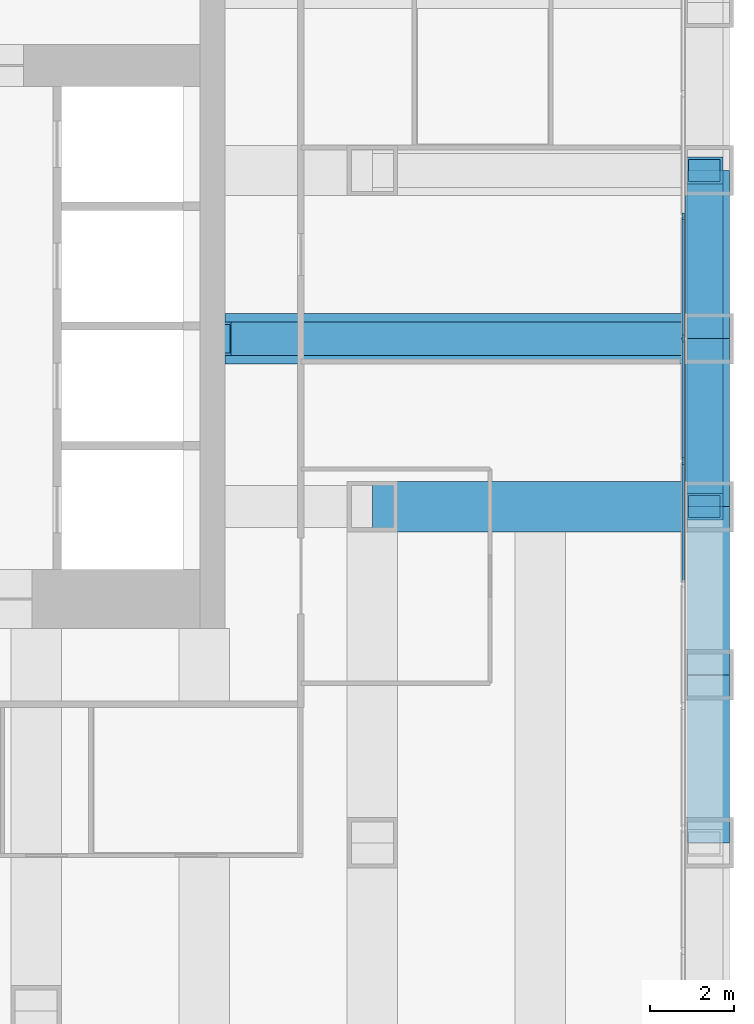
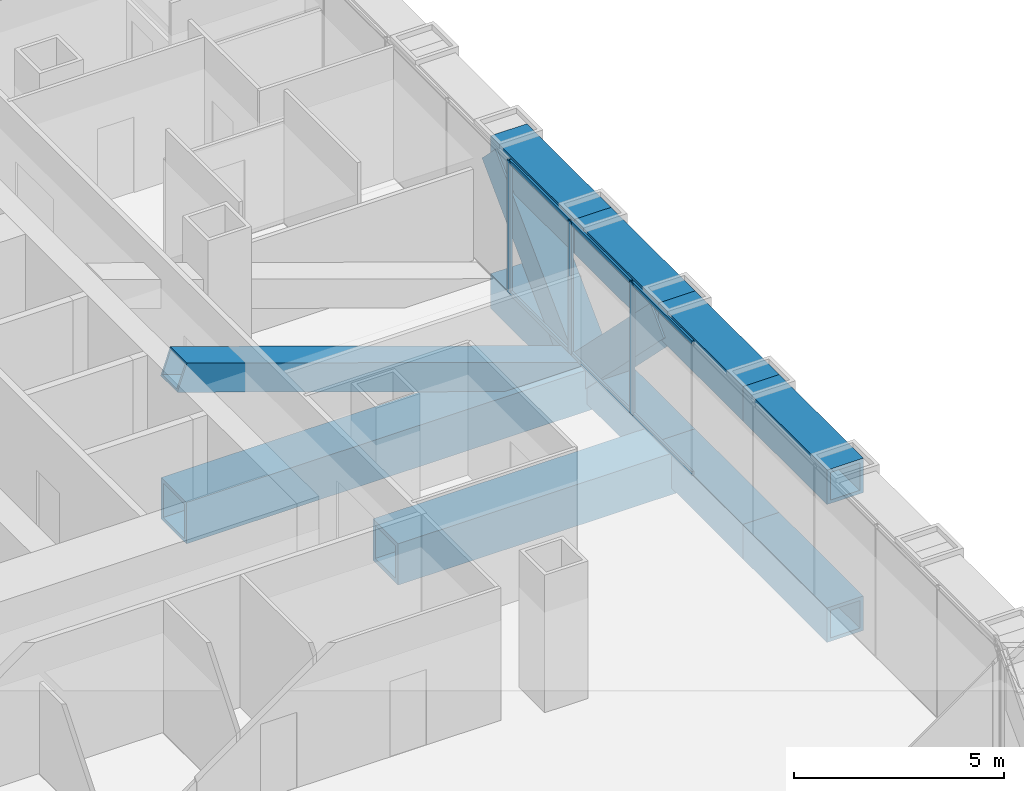
# One storey, part 6 of 18: 12 members, 10 beams, 1 element without a shape of its own.
"""IFC4 building model written with IfcOpenShell, lengths in metres."""

from ifc_helpers import new_model, si_unit, direction, frame, origin, origin_2d, place, context, subcontext, project, spatial, rectangle, hollow_rectangle, extrude, material, material_profile, profile_set, type_object, element, aggregate, save


model = new_model("IFC4")

# Units and contexts
model_context = context("Model", 3, precision=1e-05, world=origin(), true_north=direction((0.0, 1.0)))
body_context = subcontext(model_context, "Body", "Model", "MODEL_VIEW")
ifc_project = project(units=[si_unit("LENGTHUNIT", "METRE"), si_unit("AREAUNIT", "SQUARE_METRE"), si_unit("VOLUMEUNIT", "CUBIC_METRE"), si_unit("PLANEANGLEUNIT", "RADIAN"), si_unit("MASSUNIT", "GRAM", prefix="KILO")], contexts=[model_context])

# Site, building, storey
site_placement = place(None, origin())
site = spatial("IfcSite", under=ifc_project, at=site_placement, CompositionType="ELEMENT")
building_placement = place(site_placement, origin())
building = spatial("IfcBuilding", under=site, at=building_placement, Name="Rimbunsela Tower", CompositionType="ELEMENT")
storey_placement = place(building_placement, frame((0.0, 0.0, 43.0)))
storey = spatial("IfcBuildingStorey", under=building, at=storey_placement, Name="L10", CompositionType="ELEMENT", Elevation=43.0)

# Beams
ifc_material_1 = material(Name="Steel BJ 55 (fy 410 MPa)", Category="steel")
ifc_material_profile_1 = material_profile(ifc_material_1, hollow_rectangle(XDim=1.199951171875, YDim=1.199951171875, WallThickness=0.10009765625, at=origin_2d()), Name="BOX 1200x1200x100")
ifc_profile_set_1 = profile_set([ifc_material_profile_1], Name="Steel BJ 55 (fy 410 MPa)")
beam_type_1 = type_object("IfcBeamType", Name="Beam BOX 1200x1200x100", PredefinedType="BEAM", material=ifc_profile_set_1)
beam_1_placement = place(storey_placement, frame((42.5, 24.0, -0.75), z_axis=(1.0, 0.0, 0.0), x_axis=(0.0, 1.0, 0.0)))
element("IfcBeam", 1, at=beam_1_placement, inside=storey, type_object=beam_type_1, Name="Beam B5 L10", PredefinedType="BEAM", context=body_context, shape_type="SweptSolid", body=[
    extrude(hollow_rectangle(XDim=1.199951171875, YDim=1.199951171875, WallThickness=0.10009765625, at=origin_2d()), origin(), (0.0, 0.0, 1.0), 11.5),
])
ifc_material_2 = material(Name="Steel BJ 55 (fy 410 MPa)", Category="steel")
ifc_material_profile_2 = material_profile(ifc_material_2, hollow_rectangle(XDim=1.199951171875, YDim=1.199951171875, WallThickness=0.125, at=origin_2d()), Name="BOX 1200x1200x125")
ifc_profile_set_2 = profile_set([ifc_material_profile_2], Name="Steel BJ 55 (fy 410 MPa)")
beam_type_2 = type_object("IfcBeamType", Name="Beam BOX 1200x1200x125", PredefinedType="BEAM", material=ifc_profile_set_2)
beam_2_placement = place(storey_placement, frame((46.0, 20.0, -0.75), z_axis=(1.0, 0.0, 0.0), x_axis=(0.0, 1.0, 0.0)))
element("IfcBeam", 2, at=beam_2_placement, inside=storey, type_object=beam_type_2, Name="Beam B4 L10", PredefinedType="BEAM", context=body_context, shape_type="SweptSolid", body=[
    extrude(hollow_rectangle(XDim=1.199951171875, YDim=1.199951171875, WallThickness=0.125, at=origin_2d()), origin(), (0.0, 0.0, 1.0), 8.0),
])

# Curtain wall, members
ifc_material_3 = material(Name="Aluminium curtain wall", Category="aluminium")
curtain_wall_type = type_object("IfcCurtainWallType", Name="Exoskeleton storey infill", PredefinedType="USERDEFINED", material=ifc_material_3)
curtain_wall_placement = place(storey_placement, origin())
curtain_wall = element("IfcCurtainWall", 3, at=curtain_wall_placement, inside=storey, type_object=curtain_wall_type, Name="Exoskeleton storey infill L10", ObjectType="EXOSKELETON STOREY INFILL", PredefinedType="USERDEFINED")
ifc_material_4 = material(Name="Aluminium mullion", Category="aluminium")
ifc_material_profile_3 = material_profile(ifc_material_4, rectangle(XDim=0.06005859375, YDim=0.159912109375, at=origin_2d()), Name="Mullion 60x160")
ifc_profile_set_3 = profile_set([ifc_material_profile_3], Name="Aluminium mullion")
member_type_1 = type_object("IfcMemberType", Name="Curtain wall mullion 60x160", PredefinedType="MULLION", material=ifc_profile_set_3)
member_1_placement = place(storey_placement, frame((53.39990234375, 21.085693359375, 0.0), z_axis=(0.0, 0.0, 1.0), x_axis=(-1.0, 0.0, 0.0)))
member_1 = element("IfcMember", 4, at=member_1_placement, type_object=member_type_1, Name="CW2 mullion 7", PredefinedType="MULLION", context=body_context, shape_type="SweptSolid", body=[
    extrude(rectangle(XDim=0.06005859375, YDim=0.159912109375, at=origin_2d()), origin(), (0.0, 0.0, 1.0), 3.85009765625),
])
member_2_placement = place(storey_placement, frame((53.39990234375, 24.0, 0.0), z_axis=(0.0, 0.0, 1.0), x_axis=(-1.0, 0.0, 0.0)))
member_2 = element("IfcMember", 5, at=member_2_placement, type_object=member_type_1, Name="CW2 mullion 8", PredefinedType="MULLION", context=body_context, shape_type="SweptSolid", body=[
    extrude(rectangle(XDim=0.06005859375, YDim=0.159912109375, at=origin_2d()), origin(), (0.0, 0.0, 1.0), 3.85009765625),
])
member_3_placement = place(storey_placement, frame((53.39990234375, 26.914306640625, 0.0), z_axis=(0.0, 0.0, 1.0), x_axis=(-1.0, 0.0, 0.0)))
member_3 = element("IfcMember", 6, at=member_3_placement, type_object=member_type_1, Name="CW2 mullion 9", PredefinedType="MULLION", context=body_context, shape_type="SweptSolid", body=[
    extrude(rectangle(XDim=0.06005859375, YDim=0.159912109375, at=origin_2d()), origin(), (0.0, 0.0, 1.0), 3.85009765625),
])
ifc_material_5 = material(Name="Aluminium transom", Category="aluminium")
ifc_material_profile_4 = material_profile(ifc_material_5, rectangle(XDim=0.06005859375, YDim=0.1201171875, at=origin_2d()), Name="Transom 60x120")
ifc_profile_set_4 = profile_set([ifc_material_profile_4], Name="Aluminium transom")
member_type_2 = type_object("IfcMemberType", Name="Curtain wall transom 60x120", PredefinedType="USERDEFINED", material=ifc_profile_set_4)
member_4_placement = place(storey_placement, frame((53.39990234375, 18.201416015625, 0.030029296875), z_axis=(0.0, 1.0, 0.0), x_axis=(-1.0, 0.0, 0.0)))
member_4 = element("IfcMember", 7, at=member_4_placement, type_object=member_type_2, Name="CW2 transom 6.1", ObjectType="TRANSOM", PredefinedType="USERDEFINED", context=body_context, shape_type="SweptSolid", body=[
    extrude(rectangle(XDim=0.06005859375, YDim=0.1201171875, at=origin_2d()), origin(), (0.0, 0.0, 1.0), 2.854248046875),
])
member_5_placement = place(storey_placement, frame((53.39990234375, 18.201416015625, 3.820068359375), z_axis=(0.0, 1.0, 0.0), x_axis=(-1.0, 0.0, 0.0)))
member_5 = element("IfcMember", 8, at=member_5_placement, type_object=member_type_2, Name="CW2 transom 6.2", ObjectType="TRANSOM", PredefinedType="USERDEFINED", context=body_context, shape_type="SweptSolid", body=[
    extrude(rectangle(XDim=0.06005859375, YDim=0.1201171875, at=origin_2d()), origin(), (0.0, 0.0, 1.0), 2.854248046875),
])
member_6_placement = place(storey_placement, frame((53.39990234375, 21.11572265625, 0.030029296875), z_axis=(0.0, 1.0, 0.0), x_axis=(-1.0, 0.0, 0.0)))
member_6 = element("IfcMember", 9, at=member_6_placement, type_object=member_type_2, Name="CW2 transom 7.1", ObjectType="TRANSOM", PredefinedType="USERDEFINED", context=body_context, shape_type="SweptSolid", body=[
    extrude(rectangle(XDim=0.06005859375, YDim=0.1201171875, at=origin_2d()), origin(), (0.0, 0.0, 1.0), 2.854248046875),
])
member_7_placement = place(storey_placement, frame((53.39990234375, 21.11572265625, 3.820068359375), z_axis=(0.0, 1.0, 0.0), x_axis=(-1.0, 0.0, 0.0)))
member_7 = element("IfcMember", 10, at=member_7_placement, type_object=member_type_2, Name="CW2 transom 7.2", ObjectType="TRANSOM", PredefinedType="USERDEFINED", context=body_context, shape_type="SweptSolid", body=[
    extrude(rectangle(XDim=0.06005859375, YDim=0.1201171875, at=origin_2d()), origin(), (0.0, 0.0, 1.0), 2.854248046875),
])
member_8_placement = place(storey_placement, frame((53.39990234375, 24.030029296875, 0.030029296875), z_axis=(0.0, 1.0, 0.0), x_axis=(-1.0, 0.0, 0.0)))
member_8 = element("IfcMember", 11, at=member_8_placement, type_object=member_type_2, Name="CW2 transom 8.1", ObjectType="TRANSOM", PredefinedType="USERDEFINED", context=body_context, shape_type="SweptSolid", body=[
    extrude(rectangle(XDim=0.06005859375, YDim=0.1201171875, at=origin_2d()), origin(), (0.0, 0.0, 1.0), 2.854248046875),
])
member_9_placement = place(storey_placement, frame((53.39990234375, 24.030029296875, 3.820068359375), z_axis=(0.0, 1.0, 0.0), x_axis=(-1.0, 0.0, 0.0)))
member_9 = element("IfcMember", 12, at=member_9_placement, type_object=member_type_2, Name="CW2 transom 8.2", ObjectType="TRANSOM", PredefinedType="USERDEFINED", context=body_context, shape_type="SweptSolid", body=[
    extrude(rectangle(XDim=0.06005859375, YDim=0.1201171875, at=origin_2d()), origin(), (0.0, 0.0, 1.0), 2.854248046875),
])
aggregate(curtain_wall, [member_1, member_2, member_3, member_4, member_5, member_6, member_7, member_8, member_9])

# Member
ifc_material_6 = material(Name="Steel BJ 55 (fy 410 MPa)", Category="steel")
ifc_material_profile_5 = material_profile(ifc_material_6, hollow_rectangle(XDim=0.800048828125, YDim=0.800048828125, WallThickness=0.06005859375, at=origin_2d()), Name="BOX 800x800x60")
ifc_profile_set_5 = profile_set([ifc_material_profile_5], Name="Steel BJ 55 (fy 410 MPa)")
member_type_3 = type_object("IfcMemberType", Name="Outrigger brace BOX 800x800x60", PredefinedType="BRACE", material=ifc_profile_set_5)
member_10_placement = place(storey_placement, frame((54.0, 24.0, -0.64990234375), z_axis=(-0.944496796706, 0.0, 0.328520624941), x_axis=(0.0, -1.0, 0.0)))
element("IfcMember", 13, at=member_10_placement, inside=storey, type_object=member_type_3, Name="Outrigger brace OB1 E L10", PredefinedType="BRACE", context=body_context, shape_type="SweptSolid", body=[
    extrude(hollow_rectangle(XDim=0.800048828125, YDim=0.800048828125, WallThickness=0.06005859375, at=origin_2d()), origin(), (0.0, 0.0, 1.0), 12.17578125),
])

# Beams
ifc_material_7 = material(Name="Steel BJ 55 (fy 410 MPa)", Category="steel")
ifc_material_profile_6 = material_profile(ifc_material_7, hollow_rectangle(XDim=1.0, YDim=1.0, WallThickness=0.10009765625, at=origin_2d()), Name="BOX 1000x1000x100")
ifc_profile_set_6 = profile_set([ifc_material_profile_6], Name="Steel BJ 55 (fy 410 MPa)")
beam_type_3 = type_object("IfcBeamType", Name="Truss chord BOX 1000x1000x100", PredefinedType="USERDEFINED", material=ifc_profile_set_6)
for number, where, z_axis, x_axis, name in (
    (14, (54.0, 12.0, 3.35009765625), (0.0, 1.0, 0.0), (-1.0, 0.0, 0.0), "Truss top chord TC1 E face L10"),
    (15, (54.0, 16.0, 3.35009765625), (0.0, 1.0, 0.0), (-1.0, 0.0, 0.0), "Truss top chord TC1 E face L10"),
    (16, (54.0, 20.0, 3.35009765625), (0.0, 1.0, 0.0), (-1.0, 0.0, 0.0), "Truss top chord TC1 E face L10"),
    (17, (54.0, 24.0, 3.35009765625), (0.0, 1.0, 0.0), (-1.0, 0.0, 0.0), "Truss top chord TC1 E face L10"),
    (18, (54.0, 12.0, -0.64990234375), (0.0, 1.0, 0.0), (-1.0, 0.0, 0.0), "Truss bottom chord TC1 E face L10"),
    (19, (54.0, 16.0, -0.64990234375), (0.0, 1.0, 0.0), (-1.0, 0.0, 0.0), "Truss bottom chord TC1 E face L10"),
    (20, (54.0, 20.0, -0.64990234375), (0.0, 1.0, 0.0), (-1.0, 0.0, 0.0), "Truss bottom chord TC1 E face L10"),
    (21, (54.0, 24.0, -0.64990234375), (0.0, 1.0, 0.0), (-1.0, 0.0, 0.0), "Truss bottom chord TC1 E face L10"),
):
    element("IfcBeam", number, at=place(storey_placement, frame(where, z_axis=z_axis, x_axis=x_axis)), inside=storey, type_object=beam_type_3, Name=name, ObjectType="TRUSS CHORD", PredefinedType="USERDEFINED", context=body_context, shape_type="SweptSolid", body=[
        extrude(hollow_rectangle(XDim=1.0, YDim=1.0, WallThickness=0.10009765625, at=origin_2d()), origin(), (0.0, 0.0, 1.0), 4.0),
    ])

# Members
ifc_material_8 = material(Name="Steel BJ 55 (fy 410 MPa)", Category="steel")
ifc_material_profile_7 = material_profile(ifc_material_8, hollow_rectangle(XDim=0.89990234375, YDim=0.89990234375, WallThickness=0.080078125, at=origin_2d()), Name="BOX 900x900x80")
ifc_profile_set_7 = profile_set([ifc_material_profile_7], Name="Steel BJ 55 (fy 410 MPa)")
member_type_4 = type_object("IfcMemberType", Name="Truss diagonal BOX 900x900x80", PredefinedType="BRACE", material=ifc_profile_set_7)
for number, where, z_axis, x_axis, name in (
    (22, (53.89990234375, 20.0, 3.35009765625), (0.0, 0.707106781187, -0.707106781187), (-1.0, 0.0, 0.0), "Truss diagonal TD1 E face L10"),
    (23, (53.89990234375, 24.0, -0.64990234375), (0.0, 0.707106781187, 0.707106781187), (-1.0, 0.0, 0.0), "Truss diagonal TD1 E face L10"),
):
    element("IfcMember", number, at=place(storey_placement, frame(where, z_axis=z_axis, x_axis=x_axis)), inside=storey, type_object=member_type_4, Name=name, PredefinedType="BRACE", context=body_context, shape_type="SweptSolid", body=[
        extrude(hollow_rectangle(XDim=0.89990234375, YDim=0.89990234375, WallThickness=0.080078125, at=origin_2d()), origin(), (0.0, 0.0, 1.0), 5.65673828125),
    ])

save(model, "model.ifc")
